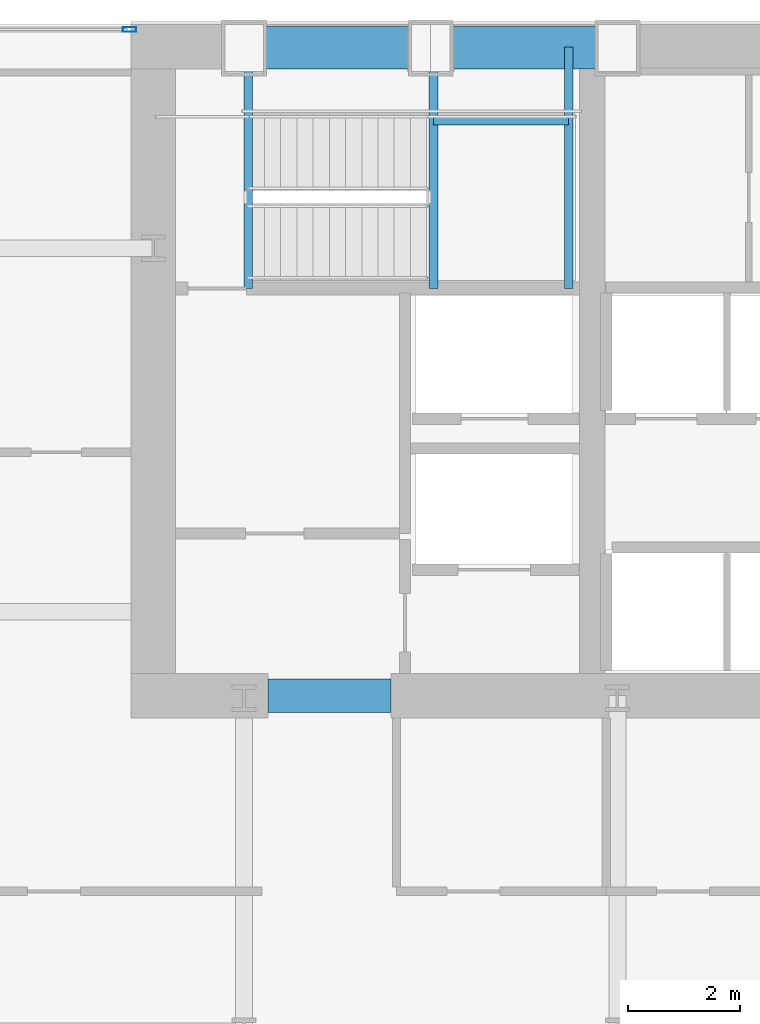
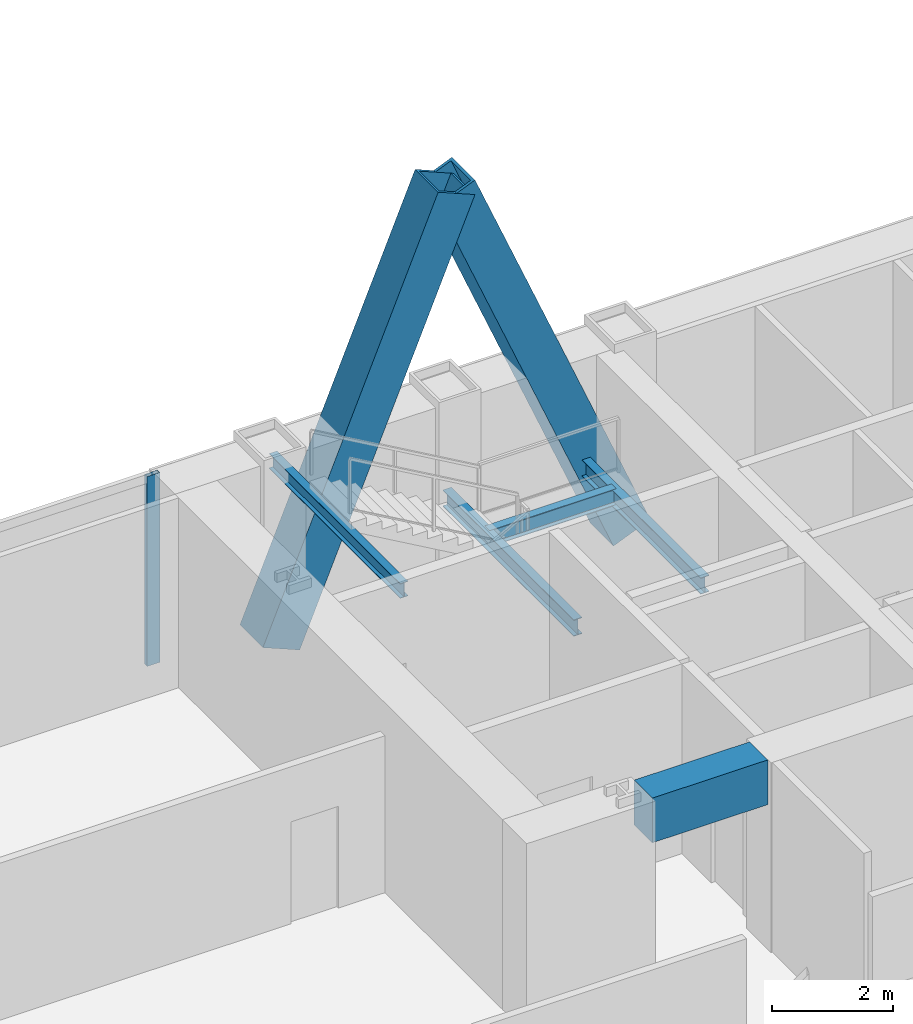
# One storey, part 18 of 33: 5 beams, 3 members, 1 element without a shape of its own.
"""IFC4 building model written with IfcOpenShell, lengths in metres."""

from ifc_helpers import new_model, si_unit, direction, frame, origin, origin_2d, place, context, subcontext, project, spatial, rectangle, hollow_rectangle, i_section, extrude, material, material_profile, profile_set, type_object, element, aggregate, save


model = new_model("IFC4")

# Units and contexts
model_context = context("Model", 3, precision=1e-05, world=origin(), true_north=direction((0.0, 1.0)))
body_context = subcontext(model_context, "Body", "Model", "MODEL_VIEW")
ifc_project = project(units=[si_unit("LENGTHUNIT", "METRE"), si_unit("AREAUNIT", "SQUARE_METRE"), si_unit("VOLUMEUNIT", "CUBIC_METRE"), si_unit("PLANEANGLEUNIT", "RADIAN"), si_unit("MASSUNIT", "GRAM", prefix="KILO")], contexts=[model_context])

# Site, building, storey
site_placement = place(None, origin())
site = spatial("IfcSite", under=ifc_project, at=site_placement, CompositionType="ELEMENT")
building_placement = place(site_placement, origin())
building = spatial("IfcBuilding", under=site, at=building_placement, Name="Khoronbel Lancet Exchange", CompositionType="ELEMENT")
storey_placement = place(building_placement, frame((0.0, 0.0, 73.800048828125)))
storey = spatial("IfcBuildingStorey", under=building, at=storey_placement, Name="L17", CompositionType="ELEMENT", Elevation=73.800048828125)

# Beams
ifc_material_1 = material(Name="Steel S355", Category="steel")
ifc_material_profile_1 = material_profile(ifc_material_1, i_section(OverallWidth=0.159912109375, OverallDepth=0.330078125, WebThickness=0.007568359375, FlangeThickness=0.011474609375, at=origin_2d()), Name="IPE 330")
ifc_profile_set_1 = profile_set([ifc_material_profile_1], Name="Steel S355")
beam_type_1 = type_object("IfcBeamType", Name="BM-BJ7", PredefinedType="JOIST", material=ifc_profile_set_1)
for number, where, z_axis, x_axis, name in (
    (1, (21.610107421875, 48.97998046875, 1.635009765625), (0.0, 1.0, 0.0), (-1.0, 0.0, 0.0), "Level L17 stair ST1 landing bearer beam 1"),
    (2, (24.030029296875, 48.97998046875, 1.635009765625), (0.0, 1.0, 0.0), (-1.0, 0.0, 0.0), "Level L17 stair ST1 rear landing bearer beam 1"),
):
    element("IfcBeam", number, at=place(storey_placement, frame(where, z_axis=z_axis, x_axis=x_axis)), inside=storey, type_object=beam_type_1, Name=name, PredefinedType="JOIST", context=body_context, shape_type="SweptSolid", body=[
        extrude(i_section(OverallWidth=0.159912109375, OverallDepth=0.330078125, WebThickness=0.007568359375, FlangeThickness=0.011474609375, at=origin_2d()), origin(), (0.0, 0.0, 1.0), 4.320068359375),
    ])
beam_1_placement = place(storey_placement, frame((21.610107421875, 51.97998046875, 1.635009765625), z_axis=(1.0, 0.0, 0.0), x_axis=(0.0, 1.0, 0.0)))
element("IfcBeam", 3, at=beam_1_placement, inside=storey, type_object=beam_type_1, Name="Level L17 stair ST1 landing cross trimmer beam 1", PredefinedType="JOIST", context=body_context, shape_type="SweptSolid", body=[
    extrude(i_section(OverallWidth=0.159912109375, OverallDepth=0.330078125, WebThickness=0.007568359375, FlangeThickness=0.011474609375, at=origin_2d()), origin(), (0.0, 0.0, 1.0), 2.419921875),
])
ifc_material_profile_2 = material_profile(ifc_material_1, i_section(OverallWidth=0.14990234375, OverallDepth=0.300048828125, WebThickness=0.007080078125, FlangeThickness=0.0107421875, at=origin_2d()), Name="IPE 300")
ifc_profile_set_2 = profile_set([ifc_material_profile_2], Name="Steel S355")
beam_type_2 = type_object("IfcBeamType", Name="BM-BJ8", PredefinedType="JOIST", material=ifc_profile_set_2)
beam_2_placement = place(storey_placement, frame((18.300048828125, 48.97998046875, 3.5400390625), z_axis=(0.0, 1.0, 0.0), x_axis=(-1.0, 0.0, 0.0)))
element("IfcBeam", 4, at=beam_2_placement, inside=storey, type_object=beam_type_2, Name="Level L17 stair ST1 upper-flight arrival trimmer beam", PredefinedType="JOIST", context=body_context, shape_type="SweptSolid", body=[
    extrude(i_section(OverallWidth=0.14990234375, OverallDepth=0.300048828125, WebThickness=0.007080078125, FlangeThickness=0.0107421875, at=origin_2d()), origin(), (0.0, 0.0, 1.0), 4.320068359375),
])
ifc_material_2 = material(Name="Concrete C80/95", Category="concrete")
ifc_material_profile_3 = material_profile(ifc_material_2, rectangle(XDim=0.60009765625, YDim=0.89990234375, at=origin_2d()), Name="RC 600x900")
ifc_profile_set_3 = profile_set([ifc_material_profile_3], Name="Concrete C80/95")
beam_type_3 = type_object("IfcBeamType", Name="BM-BL1", PredefinedType="LINTEL", material=ifc_profile_set_3)
beam_3_placement = place(storey_placement, frame((18.64990234375, 41.699951171875, 3.369873046875), z_axis=(1.0, 0.0, 0.0), x_axis=(0.0, 1.0, 0.0)))
element("IfcBeam", 5, at=beam_3_placement, inside=storey, type_object=beam_type_3, Name="Level L17 rear core coupling lintel L1", PredefinedType="LINTEL", context=body_context, shape_type="SweptSolid", body=[
    extrude(rectangle(XDim=0.60009765625, YDim=0.89990234375, at=origin_2d()), origin(), (0.0, 0.0, 1.0), 2.2001953125),
])

# Curtain wall, member
ifc_material_3 = material(Name="Low-E Solar Control Insulating Glass", Category="glass")
curtain_wall_type = type_object("IfcCurtainWallType", Name="CW-1", PredefinedType="NOTDEFINED", material=ifc_material_3)
curtain_wall_placement = place(storey_placement, origin())
curtain_wall = element("IfcCurtainWall", 6, at=curtain_wall_placement, inside=storey, type_object=curtain_wall_type, Name="Unitised curtain wall CW-L17-NWFLK", PredefinedType="NOTDEFINED")
ifc_material_4 = material(Name="Bronze-Anodised Aluminium 6063-T6", Category="aluminium")
ifc_material_profile_4 = material_profile(ifc_material_4, hollow_rectangle(XDim=0.0849609375, YDim=0.239990234375, WallThickness=0.006103515625, at=origin_2d()), Name="ALU MULLION 85x240")
ifc_profile_set_4 = profile_set([ifc_material_profile_4], Name="Bronze-Anodised Aluminium 6063-T6")
member_type_1 = type_object("IfcMemberType", Name="MEM-CWM1", PredefinedType="MULLION", material=ifc_profile_set_4)
member_placement = place(storey_placement, frame((16.177490234375, 53.610107421875, 0.0), z_axis=(0.0, 0.0, 1.0), x_axis=(0.0, -1.0, 0.0)))
member = element("IfcMember", 7, at=member_placement, type_object=member_type_1, Name="CW1 mullion 1", PredefinedType="MULLION", context=body_context, shape_type="SweptSolid", body=[
    extrude(hollow_rectangle(XDim=0.0849609375, YDim=0.239990234375, WallThickness=0.006103515625, at=origin_2d()), origin(), (0.0, 0.0, 1.0), 3.820068359375),
])
aggregate(curtain_wall, [member])

# Members
ifc_material_5 = material(Name="Steel S460", Category="steel")
ifc_material_profile_5 = material_profile(ifc_material_5, hollow_rectangle(XDim=0.760009765625, YDim=0.760009765625, WallThickness=0.054931640625, at=origin_2d()), Name="BOX 760x760x55")
ifc_profile_set_5 = profile_set([ifc_material_profile_5], Name="Steel S460")
member_type_2 = type_object("IfcMemberType", Name="MEM-MB1", PredefinedType="BRACE", material=ifc_profile_set_5)
for number, where, z_axis, x_axis, name in (
    (8, (18.22509765625, 53.280029296875, 0.0), (0.385015324606, 0.0, 0.922910179713), (0.0, 1.0, 0.0), "Perimeter lancet brace tier 5 N-W-L"),
    (9, (24.89990234375, 53.280029296875, 0.0), (-0.385015324606, 0.0, 0.922910179713), (0.0, -1.0, 0.0), "Perimeter lancet brace tier 5 N-W-R"),
):
    element("IfcMember", number, at=place(storey_placement, frame(where, z_axis=z_axis, x_axis=x_axis)), inside=storey, type_object=member_type_2, Name=name, PredefinedType="BRACE", context=body_context, shape_type="SweptSolid", body=[
        extrude(hollow_rectangle(XDim=0.760009765625, YDim=0.760009765625, WallThickness=0.054931640625, at=origin_2d()), origin(), (0.0, 0.0, 1.0), 8.668212890625),
    ])

save(model, "model.ifc")
